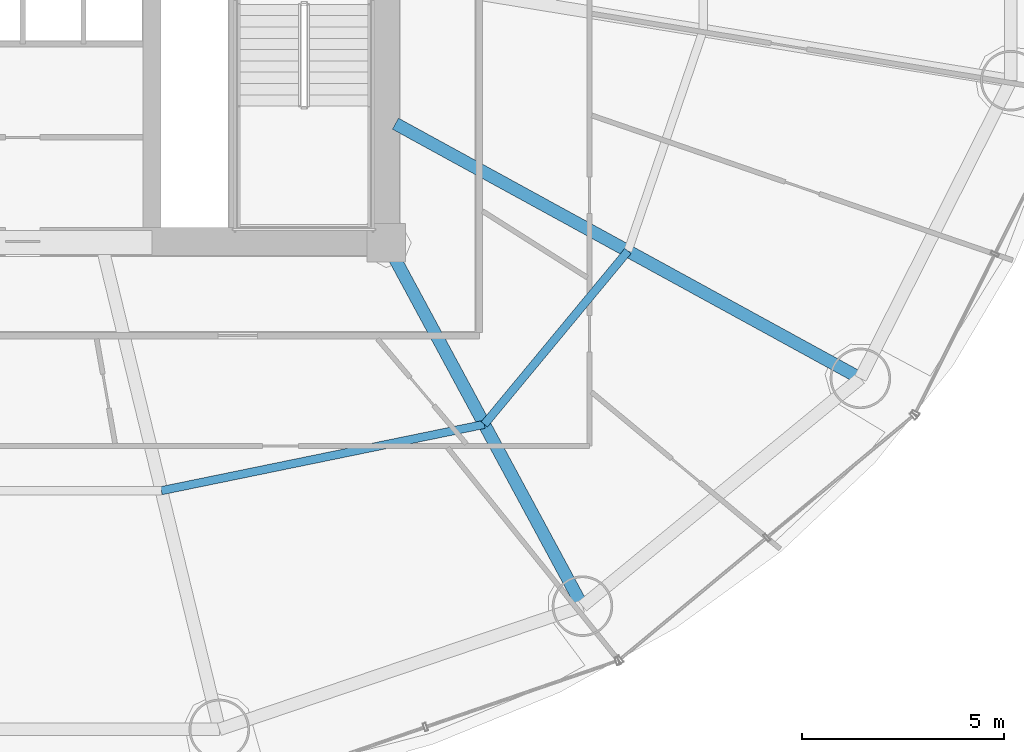
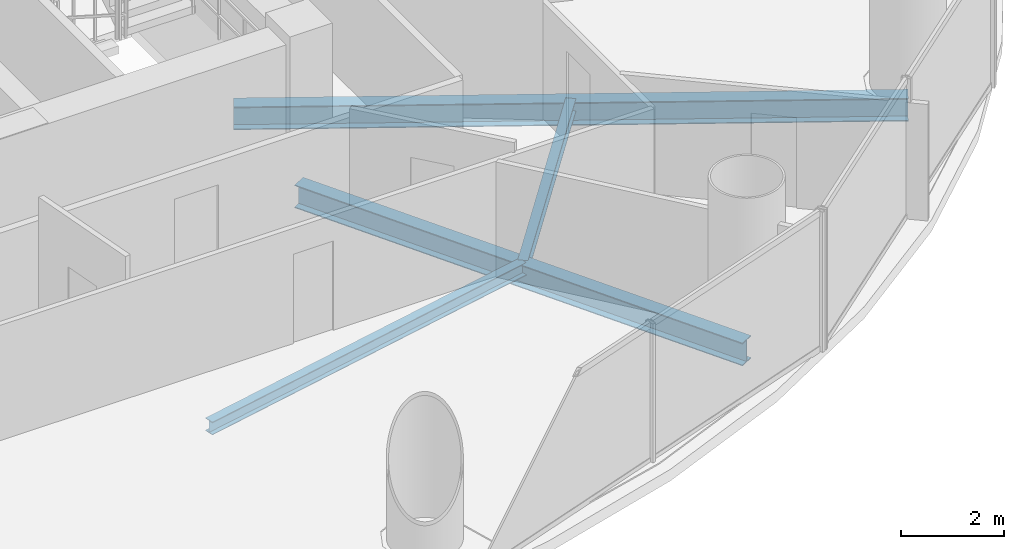
# One storey, part 12 of 29: 4 beams.
"""IFC4 building model written with IfcOpenShell, lengths in metres."""

from ifc_helpers import new_model, si_unit, direction, frame, origin, origin_2d, place, context, subcontext, project, spatial, i_section, extrude, material, material_profile, profile_set, type_object, element, save


model = new_model("IFC4")

# Units and contexts
model_context = context("Model", 3, precision=1e-05, world=origin(), true_north=direction((-0.2419218956, 0.970295726276)))
body_context = subcontext(model_context, "Body", "Model", "MODEL_VIEW")
ifc_project = project(units=[si_unit("LENGTHUNIT", "METRE"), si_unit("AREAUNIT", "SQUARE_METRE"), si_unit("VOLUMEUNIT", "CUBIC_METRE"), si_unit("PLANEANGLEUNIT", "RADIAN"), si_unit("MASSUNIT", "GRAM", prefix="KILO")], contexts=[model_context])

# Site, building, storey
site_placement = place(None, origin())
site = spatial("IfcSite", under=ifc_project, at=site_placement, CompositionType="ELEMENT")
building_placement = place(site_placement, origin())
building = spatial("IfcBuilding", under=site, at=building_placement, Name="Cobrevalo Terracotta Tower", CompositionType="ELEMENT")
storey_placement = place(building_placement, frame((0.0, 0.0, 97.800048828125)))
storey = spatial("IfcBuildingStorey", under=building, at=storey_placement, Name="L25", CompositionType="ELEMENT", Elevation=97.800048828125)

# Beams
ifc_material = material(Name="Steel S355", Category="steel")
ifc_material_profile_1 = material_profile(ifc_material, i_section(OverallWidth=0.31201171875, OverallDepth=0.54296875, WebThickness=0.0126953125, FlangeThickness=0.020263671875, at=origin_2d()), Name="W 530x150")
ifc_profile_set_1 = profile_set([ifc_material_profile_1], Name="Steel S355")
beam_type_1 = type_object("IfcBeamType", Name="Structural Beam W 530x150 (Steel S355)", PredefinedType="BEAM", material=ifc_profile_set_1)
beam_1_placement = place(storey_placement, frame((51.861572265625, 9.79638671875, -0.546630859375), z_axis=(-0.475118249298, 0.879921956303, 0.0), x_axis=(-0.879921956303, -0.475118249298, 0.0)))
element("IfcBeam", 1, at=beam_1_placement, inside=storey, type_object=beam_type_1, Name="L25 radial floor girder 14", PredefinedType="BEAM", context=body_context, shape_type="SweptSolid", body=[
    extrude(i_section(OverallWidth=0.31201171875, OverallDepth=0.54296875, WebThickness=0.0126953125, FlangeThickness=0.020263671875, at=origin_2d()), origin(), (0.0, 0.0, 1.0), 10.232421875),
])
beam_2_placement = place(storey_placement, frame((58.7451171875, 15.4384765625, -0.546630859375), z_axis=(-0.877072765004, 0.480357538599, 0.0), x_axis=(-0.480357538599, -0.877072765004, 0.0)))
element("IfcBeam", 2, at=beam_2_placement, inside=storey, type_object=beam_type_1, Name="L25 radial floor girder 15", PredefinedType="BEAM", context=body_context, shape_type="SweptSolid", body=[
    extrude(i_section(OverallWidth=0.31201171875, OverallDepth=0.54296875, WebThickness=0.0126953125, FlangeThickness=0.020263671875, at=origin_2d()), origin(), (0.0, 0.0, 1.0), 13.129150390625),
])
ifc_material_profile_2 = material_profile(ifc_material, i_section(OverallWidth=0.2041015625, OverallDepth=0.305908203125, WebThickness=0.008544921875, FlangeThickness=0.0146484375, at=origin_2d()), Name="W 310x67")
ifc_profile_set_2 = profile_set([ifc_material_profile_2], Name="Steel S355")
beam_type_2 = type_object("IfcBeamType", Name="Structural Joist W 310x67 (Steel S355)", PredefinedType="JOIST", material=ifc_profile_set_2)
beam_3_placement = place(storey_placement, frame((41.432373046875, 12.656494140625, -0.427978515625), z_axis=(0.979574469315, 0.201081722357, 0.0), x_axis=(-0.201081722357, 0.979574469315, 0.0)))
element("IfcBeam", 3, at=beam_3_placement, inside=storey, type_object=beam_type_2, Name="L25 circumferential secondary floor joist 13", PredefinedType="JOIST", context=body_context, shape_type="SweptSolid", body=[
    extrude(i_section(OverallWidth=0.2041015625, OverallDepth=0.305908203125, WebThickness=0.008544921875, FlangeThickness=0.0146484375, at=origin_2d()), origin(), (0.0, 0.0, 1.0), 8.1650390625),
])
beam_4_placement = place(storey_placement, frame((49.4306640625, 14.29833984375, -0.427978515625), z_axis=(0.6379592588, 0.77007011636, 0.0), x_axis=(-0.77007011636, 0.6379592588, 0.0)))
element("IfcBeam", 4, at=beam_4_placement, inside=storey, type_object=beam_type_2, Name="L25 circumferential secondary floor joist 14", PredefinedType="JOIST", context=body_context, shape_type="SweptSolid", body=[
    extrude(i_section(OverallWidth=0.2041015625, OverallDepth=0.305908203125, WebThickness=0.008544921875, FlangeThickness=0.0146484375, at=origin_2d()), origin(), (0.0, 0.0, 1.0), 5.575439453125),
])

save(model, "model.ifc")
